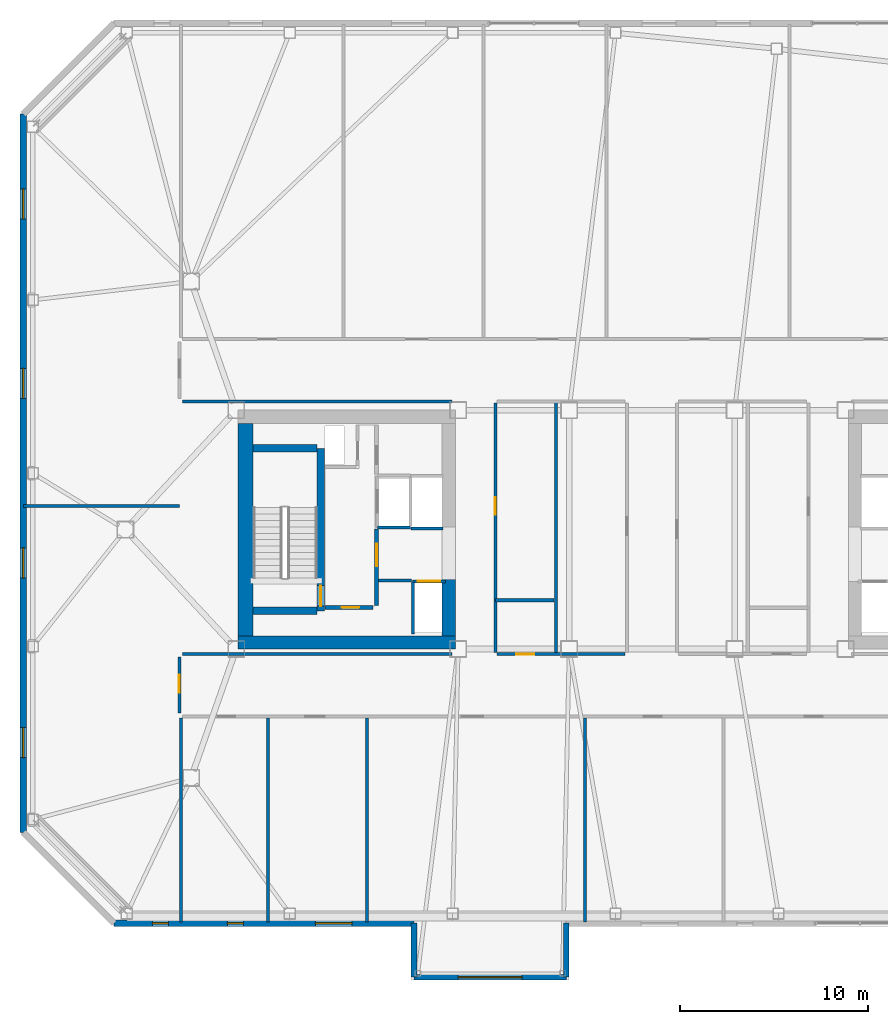
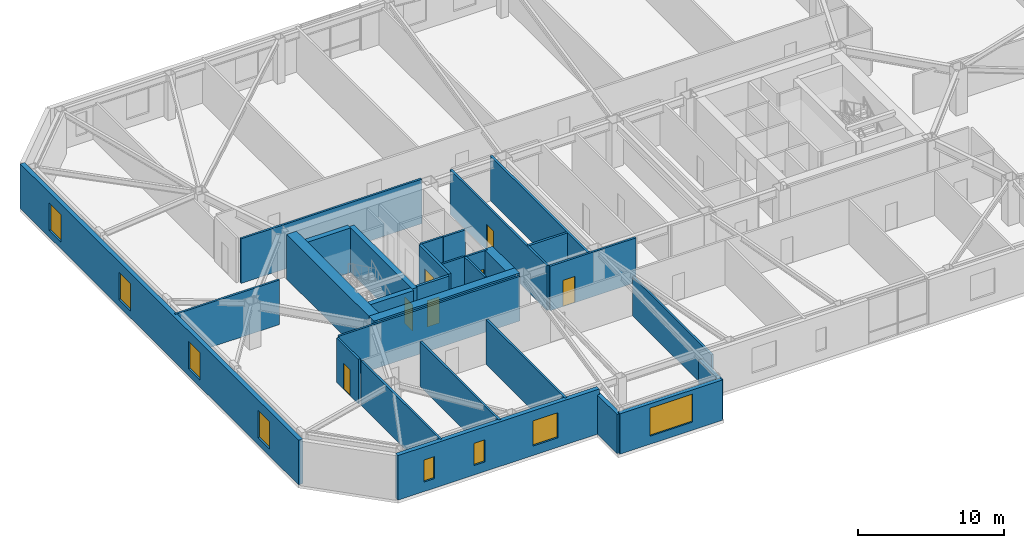
# One storey, part 9 of 16: 30 walls, 8 windows, 7 doors, 15 openings.
"""IFC4 building model written with IfcOpenShell, lengths in metres."""

from ifc_helpers import new_model, si_unit, direction, frame, frame_2d, origin, place, context, subcontext, project, spatial, rectangle, extrude, material, layer, layer_set, type_object, element, fill, save


model = new_model("IFC4")

# Units and contexts
model_context = context("Model", 3, precision=1e-05, world=origin(), true_north=direction((0.0, 1.0)))
body_context = subcontext(model_context, "Body", "Model", "MODEL_VIEW")
ifc_project = project(units=[si_unit("LENGTHUNIT", "METRE"), si_unit("AREAUNIT", "SQUARE_METRE"), si_unit("VOLUMEUNIT", "CUBIC_METRE"), si_unit("PLANEANGLEUNIT", "RADIAN"), si_unit("MASSUNIT", "GRAM", prefix="KILO")], contexts=[model_context])

# Site, building, storey
site_placement = place(None, origin())
site = spatial("IfcSite", under=ifc_project, at=site_placement, CompositionType="ELEMENT")
building_placement = place(site_placement, origin())
building = spatial("IfcBuilding", under=site, at=building_placement, Name="Tavrogorsk Clinical Tower", CompositionType="ELEMENT")
storey_placement = place(building_placement, frame((0.0, 0.0, 164.199951171875)))
storey = spatial("IfcBuildingStorey", under=building, at=storey_placement, Name="L37", CompositionType="ELEMENT", Elevation=164.199951171875)

# Wall, opening, door
ifc_material_1 = material(Name="Concrete B60", Category="concrete")
ifc_layer_1 = layer(ifc_material_1, 0.199951171875)
ifc_layer_set_1 = layer_set([ifc_layer_1], Name="Concrete B60")
wall_type_1 = type_object("IfcWallType", Name="CoreFireWall_200", PredefinedType="SOLIDWALL", material=ifc_layer_set_1)
wall_1_placement = place(storey_placement, frame((-17.3798828125, -4.139892578125, 0.0), z_axis=(0.0, 0.0, 1.0), x_axis=(1.0, 0.0, 0.0)))
wall_1 = element("IfcWall", 1, at=wall_1_placement, inside=storey, type_object=wall_type_1, Name="L37 Core West South Core Room Fire Wall", PredefinedType="SOLIDWALL", context=body_context, shape_type="SweptSolid", body=[
    extrude(rectangle(XDim=2.554931640625, YDim=0.199951171875, at=frame_2d((1.27734375, 0.0))), origin(), (0.0, 0.0, 1.0), 3.739990234375),
])
opening_1_placement = place(wall_1_placement, frame((0.8798828125, 0.0, 0.0)))
opening_1 = element("IfcOpeningElement", 2, at=opening_1_placement, cuts=wall_1, Name="Opening ID-02", PredefinedType="OPENING", context=body_context, shape_type="SweptSolid", body=[
    extrude(rectangle(XDim=0.949951171875, YDim=2.199951171875, at=frame_2d((0.47509765625, 1.10009765625))), frame((0.0, 0.10986328125, 0.0), z_axis=(0.0, -1.0, 0.0), x_axis=(1.0, 0.0, 0.0)), (0.0, 0.0, 1.0), 0.219970703125),
])
ifc_material_2 = material(Name="Laminated timber leaf on aluminium frame", Category="wood")
door_type_1 = type_object("IfcDoorType", Name="InteriorDoor_ID02_950", OperationType="NOTDEFINED", PredefinedType="DOOR", material=ifc_material_2)
door_1_placement = place(opening_1_placement, origin())
door_1 = element("IfcDoor", 3, at=door_1_placement, inside=storey, type_object=door_type_1, Name="L37 Core West South Core Room Door", OperationType="SINGLE_SWING_RIGHT", OverallHeight=2.199951171875, OverallWidth=0.949951171875, PredefinedType="DOOR", context=body_context, shape_type="SweptSolid", body=[
    extrude(rectangle(XDim=0.949951171875, YDim=2.199951171875, at=frame_2d((0.47509765625, 1.10009765625))), frame((0.0, 0.02490234375, 0.0), z_axis=(0.0, -1.0, 0.0), x_axis=(1.0, 0.0, 0.0)), (0.0, 0.0, 1.0), 0.050048828125),
])
fill(opening_1, door_1)

wall_2_placement = place(storey_placement, frame((-14.639892578125, -4.034912109375, 0.0), z_axis=(0.0, 0.0, 1.0), x_axis=(0.0, 1.0, 0.0)))
wall_2 = element("IfcWall", 4, at=wall_2_placement, inside=storey, type_object=wall_type_1, Name="L37 Core West Firefighting Lobby Fire Wall", PredefinedType="SOLIDWALL", context=body_context, shape_type="SweptSolid", body=[
    extrude(rectangle(XDim=4.074951171875, YDim=0.199951171875, at=frame_2d((2.03759765625, 0.0))), origin(), (0.0, 0.0, 1.0), 3.739990234375),
])
opening_2_placement = place(wall_2_placement, frame((2.090087890625, 0.0, 0.0)))
opening_2 = element("IfcOpeningElement", 5, at=opening_2_placement, cuts=wall_2, Name="Opening FD-01", PredefinedType="OPENING", context=body_context, shape_type="SweptSolid", body=[
    extrude(rectangle(XDim=1.199951171875, YDim=2.199951171875, at=frame_2d((0.60009765625, 1.10009765625))), frame((0.0, 0.10986328125, 0.0), z_axis=(0.0, -1.0, 0.0), x_axis=(1.0, 0.0, 0.0)), (0.0, 0.0, 1.0), 0.219970703125),
])
ifc_material_3 = material(Name="Galvanised steel fire-rated door assembly", Category="steel")
door_type_2 = type_object("IfcDoorType", Name="FireDoor_FD01_1200", OperationType="NOTDEFINED", PredefinedType="DOOR", material=ifc_material_3)
door_2_placement = place(opening_2_placement, origin())
door_2 = element("IfcDoor", 6, at=door_2_placement, inside=storey, type_object=door_type_2, Name="L37 Core West Firefighting Lobby Entry Door", OperationType="SINGLE_SWING_RIGHT", OverallHeight=2.199951171875, OverallWidth=1.199951171875, PredefinedType="DOOR", context=body_context, shape_type="SweptSolid", body=[
    extrude(rectangle(XDim=1.199951171875, YDim=2.199951171875, at=frame_2d((0.60009765625, 1.10009765625))), frame((0.0, 0.02490234375, 0.0), z_axis=(0.0, -1.0, 0.0), x_axis=(1.0, 0.0, 0.0)), (0.0, 0.0, 1.0), 0.050048828125),
])
fill(opening_2, door_2)

# Wall
ifc_material_4 = material(Name="Lightweight concrete blockwork B15", Category="masonry")
ifc_layer_2 = layer(ifc_material_4, 0.159912109375)
ifc_layer_set_2 = layer_set([ifc_layer_2], Name="Lightweight concrete blockwork B15")
wall_type_2 = type_object("IfcWallType", Name="PartitionWall_160", PredefinedType="PARTITIONING", material=ifc_layer_set_2)
wall_3_placement = place(storey_placement, frame((-14.534912109375, -2.699951171875, 0.0), z_axis=(0.0, 0.0, 1.0), x_axis=(1.0, 0.0, 0.0)))
element("IfcWall", 7, at=wall_3_placement, inside=storey, type_object=wall_type_2, Name="L37 Core West Freed Low-Bank North Partition", PredefinedType="PARTITIONING", context=body_context, shape_type="SweptSolid", body=[
    extrude(rectangle(XDim=1.760009765625, YDim=0.159912109375, at=frame_2d((0.8798828125, 0.0))), origin(), (0.0, 0.0, 1.0), 3.739990234375),
])

# Wall, opening, door
wall_4_placement = place(storey_placement, frame((-25.1298828125, -9.764892578125, 0.0), z_axis=(0.0, 0.0, 1.0), x_axis=(0.0, 1.0, 0.0)))
wall_4 = element("IfcWall", 8, at=wall_4_placement, inside=storey, type_object=wall_type_2, Name="L37 Corridor Partition 01", PredefinedType="PARTITIONING", context=body_context, shape_type="SweptSolid", body=[
    extrude(rectangle(XDim=2.97998046875, YDim=0.159912109375, at=frame_2d((1.489990234375, 0.0))), origin(), (0.0, 0.0, 1.0), 3.739990234375),
])
opening_3_placement = place(wall_4_placement, frame((1.10009765625, 0.0, 0.0)))
opening_3 = element("IfcOpeningElement", 9, at=opening_3_placement, cuts=wall_4, Name="Opening ID-02", PredefinedType="OPENING", context=body_context, shape_type="SweptSolid", body=[
    extrude(rectangle(XDim=0.949951171875, YDim=2.199951171875, at=frame_2d((0.47509765625, 1.10009765625))), frame((0.0, 0.08984375, 0.0), z_axis=(0.0, -1.0, 0.0), x_axis=(1.0, 0.0, 0.0)), (0.0, 0.0, 1.0), 0.179931640625),
])
door_3_placement = place(opening_3_placement, origin())
door_3 = element("IfcDoor", 10, at=door_3_placement, inside=storey, type_object=door_type_1, Name="L37 W Solarium Day Room & Lounge 1 Door", OperationType="SINGLE_SWING_RIGHT", OverallHeight=2.199951171875, OverallWidth=0.949951171875, PredefinedType="DOOR", context=body_context, shape_type="SweptSolid", body=[
    extrude(rectangle(XDim=0.949951171875, YDim=2.199951171875, at=frame_2d((0.47509765625, 1.10009765625))), frame((0.0, 0.02490234375, 0.0), z_axis=(0.0, -1.0, 0.0), x_axis=(1.0, 0.0, 0.0)), (0.0, 0.0, 1.0), 0.050048828125),
])
fill(opening_3, door_3)

# Walls
for number, where, z_axis, x_axis, name in (
    (11, (-24.965087890625, -6.6201171875, 0.0), (0.0, 0.0, 1.0), (1.0, 0.0, 0.0), "L37 Corridor Partition 02"),
    (12, (-10.6298828125, 6.820068359375, 0.0), (0.0, 0.0, 1.0), (-1.0, 0.0, 0.0), "L37 Corridor Partition 03"),
):
    element("IfcWall", number, at=place(storey_placement, frame(where, z_axis=z_axis, x_axis=x_axis)), inside=storey, type_object=wall_type_2, Name=name, PredefinedType="PARTITIONING", context=body_context, shape_type="SweptSolid", body=[
        extrude(rectangle(XDim=14.335205078125, YDim=0.159912109375, at=frame_2d((7.16748046875, 0.0))), origin(), (0.0, 0.0, 1.0), 3.739990234375),
    ])

# Wall, opening, door
wall_5_placement = place(storey_placement, frame((-8.320068359375, 6.735107421875, 0.0), z_axis=(0.0, 0.0, 1.0), x_axis=(0.0, -1.0, 0.0)))
wall_5 = element("IfcWall", 13, at=wall_5_placement, inside=storey, type_object=wall_type_2, Name="L37 Corridor Partition 17", PredefinedType="PARTITIONING", context=body_context, shape_type="SweptSolid", body=[
    extrude(rectangle(XDim=13.27001953125, YDim=0.159912109375, at=frame_2d((6.635009765625, 0.0))), origin(), (0.0, 0.0, 1.0), 3.739990234375),
])
opening_4_placement = place(wall_5_placement, frame((5.004150390625, 0.0, 0.0)))
opening_4 = element("IfcOpeningElement", 14, at=opening_4_placement, cuts=wall_5, Name="Opening ID-02", PredefinedType="OPENING", context=body_context, shape_type="SweptSolid", body=[
    extrude(rectangle(XDim=0.949951171875, YDim=2.199951171875, at=frame_2d((0.47509765625, 1.10009765625))), frame((0.0, 0.08984375, 0.0), z_axis=(0.0, -1.0, 0.0), x_axis=(1.0, 0.0, 0.0)), (0.0, 0.0, 1.0), 0.179931640625),
])
door_4_placement = place(opening_4_placement, origin())
door_4 = element("IfcDoor", 15, at=door_4_placement, inside=storey, type_object=door_type_1, Name="L37 Ward Nourishment Pantry Door", OperationType="SINGLE_SWING_LEFT", OverallHeight=2.199951171875, OverallWidth=0.949951171875, PredefinedType="DOOR", context=body_context, shape_type="SweptSolid", body=[
    extrude(rectangle(XDim=0.949951171875, YDim=2.199951171875, at=frame_2d((0.47509765625, 1.10009765625))), frame((0.0, 0.02490234375, 0.0), z_axis=(0.0, -1.0, 0.0), x_axis=(1.0, 0.0, 0.0)), (0.0, 0.0, 1.0), 0.050048828125),
])
fill(opening_4, door_4)

wall_6_placement = place(storey_placement, frame((-8.235107421875, -6.6201171875, 0.0), z_axis=(0.0, 0.0, 1.0), x_axis=(1.0, 0.0, 0.0)))
wall_6 = element("IfcWall", 16, at=wall_6_placement, inside=storey, type_object=wall_type_2, Name="L37 Corridor Partition 18", PredefinedType="PARTITIONING", context=body_context, shape_type="SweptSolid", body=[
    extrude(rectangle(XDim=6.820068359375, YDim=0.159912109375, at=frame_2d((3.41015625, 0.0))), origin(), (0.0, 0.0, 1.0), 3.739990234375),
])
opening_5_placement = place(wall_6_placement, frame((1.029052734375, 0.0, 0.0)))
opening_5 = element("IfcOpeningElement", 17, at=opening_5_placement, cuts=wall_6, Name="Opening ID-02", PredefinedType="OPENING", context=body_context, shape_type="SweptSolid", body=[
    extrude(rectangle(XDim=0.949951171875, YDim=2.199951171875, at=frame_2d((0.47509765625, 1.10009765625))), frame((0.0, 0.08984375, 0.0), z_axis=(0.0, -1.0, 0.0), x_axis=(1.0, 0.0, 0.0)), (0.0, 0.0, 1.0), 0.179931640625),
])
door_5_placement = place(opening_5_placement, origin())
door_5 = element("IfcDoor", 18, at=door_5_placement, inside=storey, type_object=door_type_1, Name="L37 Accessible Patient Lavatory Door", OperationType="SINGLE_SWING_RIGHT", OverallHeight=2.199951171875, OverallWidth=0.949951171875, PredefinedType="DOOR", context=body_context, shape_type="SweptSolid", body=[
    extrude(rectangle(XDim=0.949951171875, YDim=2.199951171875, at=frame_2d((0.47509765625, 1.10009765625))), frame((0.0, 0.02490234375, 0.0), z_axis=(0.0, -1.0, 0.0), x_axis=(1.0, 0.0, 0.0)), (0.0, 0.0, 1.0), 0.050048828125),
])
fill(opening_5, door_5)

# Walls
for number, where, z_axis, x_axis, name in (
    (19, (-25.050048828125, -20.860107421875, 0.0), (0.0, 0.0, 1.0), (0.0, 1.0, 0.0), "L37 SW Wing Closure Partition"),
    (20, (-20.39990234375, -20.860107421875, 0.0), (0.0, 0.0, 1.0), (0.0, 1.0, 0.0), "L37 South Room Partition 1"),
    (21, (-15.159912109375, -20.860107421875, 0.0), (0.0, 0.0, 1.0), (0.0, 1.0, 0.0), "L37 South Room Partition 2"),
):
    element("IfcWall", number, at=place(storey_placement, frame(where, z_axis=z_axis, x_axis=x_axis)), inside=storey, type_object=wall_type_2, Name=name, PredefinedType="PARTITIONING", context=body_context, shape_type="SweptSolid", body=[
        extrude(rectangle(XDim=10.84521484375, YDim=0.159912109375, at=frame_2d((5.422607421875, 0.0))), origin(), (0.0, 0.0, 1.0), 3.739990234375),
    ])
wall_7_placement = place(storey_placement, frame((-3.550048828125, -20.860107421875, 0.0), z_axis=(0.0, 0.0, 1.0), x_axis=(0.0, 1.0, 0.0)))
element("IfcWall", 22, at=wall_7_placement, inside=storey, type_object=wall_type_2, Name="L37 South Room Partition 3", PredefinedType="PARTITIONING", context=body_context, shape_type="SweptSolid", body=[
    extrude(rectangle(XDim=10.84521484375, YDim=0.159912109375, at=frame_2d((5.422607421875, 0.0))), origin(), (0.0, 0.0, 1.0), 3.28515625),
])
wall_8_placement = place(storey_placement, frame((-33.409912109375, 1.25, 0.0), z_axis=(0.0, 0.0, 1.0), x_axis=(1.0, 0.0, 0.0)))
element("IfcWall", 23, at=wall_8_placement, inside=storey, type_object=wall_type_2, Name="L37 W Wing Divider 1", PredefinedType="PARTITIONING", context=body_context, shape_type="SweptSolid", body=[
    extrude(rectangle(XDim=8.280029296875, YDim=0.159912109375, at=frame_2d((4.14013671875, 0.0))), origin(), (0.0, 0.0, 1.0), 3.739990234375),
])
ifc_material_5 = material(Name="Lightweight concrete blockwork B20", Category="masonry")
ifc_layer_3 = layer(ifc_material_5, 0.179931640625)
ifc_layer_set_3 = layer_set([ifc_layer_3], Name="Lightweight concrete blockwork B20")
wall_type_3 = type_object("IfcWallType", Name="PartitionWall_180", PredefinedType="PARTITIONING", material=ifc_layer_set_3)
wall_9_placement = place(storey_placement, frame((-5.10009765625, -6.614990234375, 0.0), z_axis=(0.0, 0.0, 1.0), x_axis=(0.0, 1.0, 0.0)))
element("IfcWall", 24, at=wall_9_placement, inside=storey, type_object=wall_type_3, Name="L37 Central Spine Partition 1", PredefinedType="PARTITIONING", context=body_context, shape_type="SweptSolid", body=[
    extrude(rectangle(XDim=13.429931640625, YDim=0.179931640625, at=frame_2d((6.71484375, 0.0))), origin(), (0.0, 0.0, 1.0), 3.739990234375),
])
wall_10_placement = place(storey_placement, frame((-8.31494140625, -3.75, 0.0), z_axis=(0.0, 0.0, 1.0), x_axis=(1.0, 0.0, 0.0)))
element("IfcWall", 25, at=wall_10_placement, inside=storey, type_object=wall_type_3, Name="L37 Central Spine Partition 3", PredefinedType="PARTITIONING", context=body_context, shape_type="SweptSolid", body=[
    extrude(rectangle(XDim=3.119873046875, YDim=0.179931640625, at=frame_2d((1.56005859375, 0.0))), origin(), (0.0, 0.0, 1.0), 3.739990234375),
])

# Wall, openings, windows
ifc_material_6 = material(Name="Precast concrete B45 with limestone cladding", Category="masonry")
ifc_layer_4 = layer(ifc_material_6, 0.340087890625)
ifc_layer_set_4 = layer_set([ifc_layer_4], Name="Precast concrete B45 with limestone cladding")
wall_type_4 = type_object("IfcWallType", Name="PrecastLimestoneWall_340", PredefinedType="STANDARD", material=ifc_layer_set_4)
wall_11_placement = place(storey_placement, frame((-28.60009765625, -20.929931640625, 0.0), z_axis=(0.0, 0.0, 1.0), x_axis=(1.0, 0.0, 0.0)))
wall_11 = element("IfcWall", 26, at=wall_11_placement, inside=storey, type_object=wall_type_4, Name="L37 S Limestone Facade Wall 1", PredefinedType="STANDARD", context=body_context, shape_type="SweptSolid", body=[
    extrude(rectangle(XDim=15.9501953125, YDim=0.340087890625, at=frame_2d((7.97509765625, 0.0))), origin(), (0.0, 0.0, 1.0), 3.739990234375),
])
opening_6_placement = place(wall_11_placement, frame((2.0439453125, 0.0, 0.800048828125)))
opening_6 = element("IfcOpeningElement", 27, at=opening_6_placement, cuts=wall_11, Name="Opening WN-06", PredefinedType="OPENING", context=body_context, shape_type="SweptSolid", body=[
    extrude(rectangle(XDim=0.85009765625, YDim=1.85009765625, at=frame_2d((0.425048828125, 0.925048828125))), frame((0.0, 0.179931640625, 0.0), z_axis=(0.0, -1.0, 0.0), x_axis=(1.0, 0.0, 0.0)), (0.0, 0.0, 1.0), 0.360107421875),
])
opening_7_placement = place(wall_11_placement, frame((6.02880859375, 0.0, 0.800048828125)))
opening_7 = element("IfcOpeningElement", 28, at=opening_7_placement, cuts=wall_11, Name="Opening WN-06", PredefinedType="OPENING", context=body_context, shape_type="SweptSolid", body=[
    extrude(rectangle(XDim=0.85009765625, YDim=1.85009765625, at=frame_2d((0.425048828125, 0.925048828125))), frame((0.0, 0.179931640625, 0.0), z_axis=(0.0, -1.0, 0.0), x_axis=(1.0, 0.0, 0.0)), (0.0, 0.0, 1.0), 0.360107421875),
])
opening_8_placement = place(wall_11_placement, frame((10.706787109375, 0.0, 0.800048828125)))
opening_8 = element("IfcOpeningElement", 29, at=opening_8_placement, cuts=wall_11, Name="Opening WN-13", PredefinedType="OPENING", context=body_context, shape_type="SweptSolid", body=[
    extrude(rectangle(XDim=1.949951171875, YDim=2.10009765625, at=frame_2d((0.97509765625, 1.050048828125))), frame((0.0, 0.179931640625, 0.0), z_axis=(0.0, -1.0, 0.0), x_axis=(1.0, 0.0, 0.0)), (0.0, 0.0, 1.0), 0.360107421875),
])
ifc_material_7 = material(Name="Thermally broken aluminium frame and triple IGU", Category="aluminium")
window_type_1 = type_object("IfcWindowType", Name="ExamRoomWin_1950x2100", PartitioningType="DOUBLE_PANEL_VERTICAL", PredefinedType="WINDOW", material=ifc_material_7)
window_1_placement = place(opening_8_placement, origin())
window_1 = element("IfcWindow", 30, at=window_1_placement, inside=storey, type_object=window_type_1, Name="L37 S Chicago Window 03", OverallHeight=2.10009765625, OverallWidth=1.949951171875, PartitioningType="SINGLE_PANEL", PredefinedType="WINDOW", context=body_context, shape_type="SweptSolid", body=[
    extrude(rectangle(XDim=1.949951171875, YDim=2.10009765625, at=frame_2d((0.97509765625, 1.050048828125))), frame((0.0, 0.030029296875, 0.0), z_axis=(0.0, -1.0, 0.0), x_axis=(1.0, 0.0, 0.0)), (0.0, 0.0, 1.0), 0.06005859375),
])
fill(opening_8, window_1)
ifc_material_8 = material(Name="Thermally broken aluminium frame and triple IGU", Category="aluminium")
window_type_2 = type_object("IfcWindowType", Name="MullionSubWin_850x1850", PartitioningType="SINGLE_PANEL", PredefinedType="WINDOW", material=ifc_material_8)
window_2_placement = place(opening_6_placement, origin())
window_2 = element("IfcWindow", 31, at=window_2_placement, inside=storey, type_object=window_type_2, Name="L37 S Mullion Split Window 01A", OverallHeight=1.85009765625, OverallWidth=0.85009765625, PartitioningType="SINGLE_PANEL", PredefinedType="WINDOW", context=body_context, shape_type="SweptSolid", body=[
    extrude(rectangle(XDim=0.85009765625, YDim=1.85009765625, at=frame_2d((0.425048828125, 0.925048828125))), frame((0.0, 0.030029296875, 0.0), z_axis=(0.0, -1.0, 0.0), x_axis=(1.0, 0.0, 0.0)), (0.0, 0.0, 1.0), 0.06005859375),
])
fill(opening_6, window_2)
window_3_placement = place(opening_7_placement, origin())
window_3 = element("IfcWindow", 32, at=window_3_placement, inside=storey, type_object=window_type_2, Name="L37 S Mullion Split Window 02A", OverallHeight=1.85009765625, OverallWidth=0.85009765625, PartitioningType="SINGLE_PANEL", PredefinedType="WINDOW", context=body_context, shape_type="SweptSolid", body=[
    extrude(rectangle(XDim=0.85009765625, YDim=1.85009765625, at=frame_2d((0.425048828125, 0.925048828125))), frame((0.0, 0.030029296875, 0.0), z_axis=(0.0, -1.0, 0.0), x_axis=(1.0, 0.0, 0.0)), (0.0, 0.0, 1.0), 0.06005859375),
])
fill(opening_7, window_3)

wall_12_placement = place(storey_placement, frame((-33.429931640625, 22.10009765625, 0.0), z_axis=(0.0, 0.0, 1.0), x_axis=(0.0, -1.0, 0.0)))
wall_12 = element("IfcWall", 33, at=wall_12_placement, inside=storey, type_object=wall_type_4, Name="L37 W Pleated Limestone Wing Wall", PredefinedType="STANDARD", context=body_context, shape_type="SweptSolid", body=[
    extrude(rectangle(XDim=38.2001953125, YDim=0.340087890625, at=frame_2d((19.10009765625, 0.0))), origin(), (0.0, 0.0, 1.0), 3.739990234375),
])
opening_9_placement = place(wall_12_placement, frame((3.97509765625, 0.0, 0.580078125)))
opening_9 = element("IfcOpeningElement", 34, at=opening_9_placement, cuts=wall_12, Name="Opening WN-07", PredefinedType="OPENING", context=body_context, shape_type="SweptSolid", body=[
    extrude(rectangle(XDim=1.60009765625, YDim=2.300048828125, at=frame_2d((0.800048828125, 1.14990234375))), frame((0.0, 0.179931640625, 0.0), z_axis=(0.0, -1.0, 0.0), x_axis=(1.0, 0.0, 0.0)), (0.0, 0.0, 1.0), 0.360107421875),
])
opening_10_placement = place(wall_12_placement, frame((13.52490234375, 0.0, 0.580078125)))
opening_10 = element("IfcOpeningElement", 35, at=opening_10_placement, cuts=wall_12, Name="Opening WN-07", PredefinedType="OPENING", context=body_context, shape_type="SweptSolid", body=[
    extrude(rectangle(XDim=1.60009765625, YDim=2.300048828125, at=frame_2d((0.800048828125, 1.14990234375))), frame((0.0, 0.179931640625, 0.0), z_axis=(0.0, -1.0, 0.0), x_axis=(1.0, 0.0, 0.0)), (0.0, 0.0, 1.0), 0.360107421875),
])
opening_11_placement = place(wall_12_placement, frame((23.074951171875, 0.0, 0.580078125)))
opening_11 = element("IfcOpeningElement", 36, at=opening_11_placement, cuts=wall_12, Name="Opening WN-07", PredefinedType="OPENING", context=body_context, shape_type="SweptSolid", body=[
    extrude(rectangle(XDim=1.60009765625, YDim=2.300048828125, at=frame_2d((0.800048828125, 1.14990234375))), frame((0.0, 0.179931640625, 0.0), z_axis=(0.0, -1.0, 0.0), x_axis=(1.0, 0.0, 0.0)), (0.0, 0.0, 1.0), 0.360107421875),
])
opening_12_placement = place(wall_12_placement, frame((32.625, 0.0, 0.580078125)))
opening_12 = element("IfcOpeningElement", 37, at=opening_12_placement, cuts=wall_12, Name="Opening WN-07", PredefinedType="OPENING", context=body_context, shape_type="SweptSolid", body=[
    extrude(rectangle(XDim=1.60009765625, YDim=2.300048828125, at=frame_2d((0.800048828125, 1.14990234375))), frame((0.0, 0.179931640625, 0.0), z_axis=(0.0, -1.0, 0.0), x_axis=(1.0, 0.0, 0.0)), (0.0, 0.0, 1.0), 0.360107421875),
])
ifc_material_9 = material(Name="Thermally broken aluminium frame and triple IGU", Category="aluminium")
window_type_3 = type_object("IfcWindowType", Name="PleatSlotWin_1600x2300", PartitioningType="SINGLE_PANEL", PredefinedType="WINDOW", material=ifc_material_9)
window_4_placement = place(opening_9_placement, origin())
window_4 = element("IfcWindow", 38, at=window_4_placement, inside=storey, type_object=window_type_3, Name="L37 W Pleat Slot Window 1", OverallHeight=2.300048828125, OverallWidth=1.60009765625, PartitioningType="SINGLE_PANEL", PredefinedType="WINDOW", context=body_context, shape_type="SweptSolid", body=[
    extrude(rectangle(XDim=1.60009765625, YDim=2.300048828125, at=frame_2d((0.800048828125, 1.14990234375))), frame((0.0, 0.030029296875, 0.0), z_axis=(0.0, -1.0, 0.0), x_axis=(1.0, 0.0, 0.0)), (0.0, 0.0, 1.0), 0.06005859375),
])
fill(opening_9, window_4)
window_5_placement = place(opening_10_placement, origin())
window_5 = element("IfcWindow", 39, at=window_5_placement, inside=storey, type_object=window_type_3, Name="L37 W Pleat Slot Window 2", OverallHeight=2.300048828125, OverallWidth=1.60009765625, PartitioningType="SINGLE_PANEL", PredefinedType="WINDOW", context=body_context, shape_type="SweptSolid", body=[
    extrude(rectangle(XDim=1.60009765625, YDim=2.300048828125, at=frame_2d((0.800048828125, 1.14990234375))), frame((0.0, 0.030029296875, 0.0), z_axis=(0.0, -1.0, 0.0), x_axis=(1.0, 0.0, 0.0)), (0.0, 0.0, 1.0), 0.06005859375),
])
fill(opening_10, window_5)
window_6_placement = place(opening_11_placement, origin())
window_6 = element("IfcWindow", 40, at=window_6_placement, inside=storey, type_object=window_type_3, Name="L37 W Pleat Slot Window 3", OverallHeight=2.300048828125, OverallWidth=1.60009765625, PartitioningType="SINGLE_PANEL", PredefinedType="WINDOW", context=body_context, shape_type="SweptSolid", body=[
    extrude(rectangle(XDim=1.60009765625, YDim=2.300048828125, at=frame_2d((0.800048828125, 1.14990234375))), frame((0.0, 0.030029296875, 0.0), z_axis=(0.0, -1.0, 0.0), x_axis=(1.0, 0.0, 0.0)), (0.0, 0.0, 1.0), 0.06005859375),
])
fill(opening_11, window_6)
window_7_placement = place(opening_12_placement, origin())
window_7 = element("IfcWindow", 41, at=window_7_placement, inside=storey, type_object=window_type_3, Name="L37 W Pleat Slot Window 4", OverallHeight=2.300048828125, OverallWidth=1.60009765625, PartitioningType="SINGLE_PANEL", PredefinedType="WINDOW", context=body_context, shape_type="SweptSolid", body=[
    extrude(rectangle(XDim=1.60009765625, YDim=2.300048828125, at=frame_2d((0.800048828125, 1.14990234375))), frame((0.0, 0.030029296875, 0.0), z_axis=(0.0, -1.0, 0.0), x_axis=(1.0, 0.0, 0.0)), (0.0, 0.0, 1.0), 0.06005859375),
])
fill(opening_12, window_7)

# Wall, opening, window
wall_13_placement = place(storey_placement, frame((-12.64990234375, -23.800048828125, 0.0), z_axis=(0.0, 0.0, 1.0), x_axis=(1.0, 0.0, 0.0)))
wall_13 = element("IfcWall", 42, at=wall_13_placement, inside=storey, type_object=wall_type_4, Name="L37 Day-Room Limestone Front DRB-05", PredefinedType="STANDARD", context=body_context, shape_type="SweptSolid", body=[
    extrude(rectangle(XDim=8.099853515625, YDim=0.300048828125, at=frame_2d((4.0498046875, 0.0))), origin(), (0.0, 0.0, 1.0), 3.385009765625),
])
opening_13_placement = place(wall_13_placement, frame((2.35009765625, 0.0, 0.679931640625)))
opening_13 = element("IfcOpeningElement", 43, at=opening_13_placement, cuts=wall_13, Name="Opening WN-16", PredefinedType="OPENING", context=body_context, shape_type="SweptSolid", body=[
    extrude(rectangle(XDim=3.39990234375, YDim=2.35009765625, at=frame_2d((1.699951171875, 1.175048828125))), frame((0.0, 0.159912109375, 0.0), z_axis=(0.0, -1.0, 0.0), x_axis=(1.0, 0.0, 0.0)), (0.0, 0.0, 1.0), 0.320068359375),
])
ifc_material_10 = material(Name="Thermally broken aluminium frame and triple IGU", Category="aluminium")
window_type_4 = type_object("IfcWindowType", Name="QuietLoungeWin_3400x2350", PartitioningType="TRIPLE_PANEL_HORIZONTAL", PredefinedType="WINDOW", material=ifc_material_10)
window_8_placement = place(opening_13_placement, origin())
window_8 = element("IfcWindow", 44, at=window_8_placement, inside=storey, type_object=window_type_4, Name="L37 Day-Room Front Bay Window DRB-05", OverallHeight=2.35009765625, OverallWidth=3.39990234375, PartitioningType="SINGLE_PANEL", PredefinedType="WINDOW", context=body_context, shape_type="SweptSolid", body=[
    extrude(rectangle(XDim=3.39990234375, YDim=2.35009765625, at=frame_2d((1.699951171875, 1.175048828125))), frame((0.0, 0.030029296875, 0.0), z_axis=(0.0, -1.0, 0.0), x_axis=(1.0, 0.0, 0.0)), (0.0, 0.0, 1.0), 0.06005859375),
])
fill(opening_13, window_8)

# Wall
ifc_material_11 = material(Name="Lightweight concrete blockwork B25", Category="masonry")
ifc_layer_5 = layer(ifc_material_11, 0.159912109375)
ifc_layer_set_5 = layer_set([ifc_layer_5], Name="Lightweight concrete blockwork B25")
wall_type_5 = type_object("IfcWallType", Name="ShaftWall_160", PredefinedType="PARTITIONING", material=ifc_layer_set_5)
wall_14_placement = place(storey_placement, frame((-14.60009765625, 0.10009765625, 0.0), z_axis=(0.0, 0.0, 1.0), x_axis=(1.0, 0.0, 0.0)))
element("IfcWall", 45, at=wall_14_placement, inside=storey, type_object=wall_type_5, Name="L37 FFL-W Shaft South Wall", PredefinedType="PARTITIONING", context=body_context, shape_type="SweptSolid", body=[
    extrude(rectangle(XDim=1.760009765625, YDim=0.159912109375, at=frame_2d((0.8798828125, 0.0))), origin(), (0.0, 0.0, 1.0), 3.739990234375),
])

# Wall, opening, door
wall_15_placement = place(storey_placement, frame((-12.72998046875, -2.75, 0.0), z_axis=(0.0, 0.0, 1.0), x_axis=(1.0, 0.0, 0.0)))
wall_15 = element("IfcWall", 46, at=wall_15_placement, inside=storey, type_object=wall_type_5, Name="L37 LP-M1 Lift Shaft Portal Wall", PredefinedType="PARTITIONING", context=body_context, shape_type="SweptSolid", body=[
    extrude(rectangle(XDim=1.760009765625, YDim=0.159912109375, at=frame_2d((0.8798828125, 0.0))), origin(), (0.0, 0.0, 1.0), 3.739990234375),
])
opening_14_placement = place(wall_15_placement, frame((0.280029296875, 0.0, 0.0)))
opening_14 = element("IfcOpeningElement", 47, at=opening_14_placement, cuts=wall_15, Name="Opening LD", PredefinedType="OPENING", context=body_context, shape_type="SweptSolid", body=[
    extrude(rectangle(XDim=1.199951171875, YDim=2.199951171875, at=frame_2d((0.60009765625, 1.10009765625))), frame((0.0, 0.08984375, 0.0), z_axis=(0.0, -1.0, 0.0), x_axis=(1.0, 0.0, 0.0)), (0.0, 0.0, 1.0), 0.179931640625),
])
ifc_material_12 = material(Name="Brushed stainless steel AISI 304 sliding doors", Category="steel")
door_type_3 = type_object("IfcDoorType", Name="LiftLandingDoor_LD_1200", OperationType="SLIDING_TO_LEFT", PredefinedType="DOOR", material=ifc_material_12)
door_6_placement = place(opening_14_placement, origin())
door_6 = element("IfcDoor", 48, at=door_6_placement, inside=storey, type_object=door_type_3, Name="L37 LP-M1 Sliding Lift Landing Door", OperationType="SLIDING_TO_LEFT", OverallHeight=2.199951171875, OverallWidth=1.199951171875, PredefinedType="DOOR", context=body_context, shape_type="SweptSolid", body=[
    extrude(rectangle(XDim=1.199951171875, YDim=2.199951171875, at=frame_2d((0.60009765625, 1.10009765625))), frame((0.0, 0.02490234375, 0.0), z_axis=(0.0, -1.0, 0.0), x_axis=(1.0, 0.0, 0.0)), (0.0, 0.0, 1.0), 0.050048828125),
])
fill(opening_14, door_6)

# Walls
wall_16_placement = place(storey_placement, frame((-12.820068359375, 0.06005859375, 0.0), z_axis=(0.0, 0.0, 1.0), x_axis=(1.0, 0.0, 0.0)))
element("IfcWall", 49, at=wall_16_placement, inside=storey, type_object=wall_type_5, Name="L37 LP-H1 High-Zone Lift Portal Wall", PredefinedType="PARTITIONING", context=body_context, shape_type="SweptSolid", body=[
    extrude(rectangle(XDim=1.719970703125, YDim=0.159912109375, at=frame_2d((0.85986328125, 0.0))), origin(), (0.0, 0.0, 1.0), 3.739990234375),
])
wall_17_placement = place(storey_placement, frame((-12.68994140625, -5.56005859375, 0.0), z_axis=(0.0, 0.0, 1.0), x_axis=(0.0, 1.0, 0.0)))
element("IfcWall", 50, at=wall_17_placement, inside=storey, type_object=wall_type_5, Name="L37 Core West Freed Low-Bank Shaft Divider", PredefinedType="PARTITIONING", context=body_context, shape_type="SweptSolid", body=[
    extrude(rectangle(XDim=2.775146484375, YDim=0.159912109375, at=frame_2d((1.3876953125, 0.0))), origin(), (0.0, 0.0, 1.0), 3.739990234375),
])

# Wall, opening, door
ifc_material_13 = material(Name="Concrete B80", Category="concrete")
ifc_layer_6 = layer(ifc_material_13, 0.39990234375)
ifc_layer_set_6 = layer_set([ifc_layer_6], Name="Concrete B80")
wall_type_6 = type_object("IfcWallType", Name="ShearWall_400", PredefinedType="SHEAR", material=ifc_layer_set_6)
wall_18_placement = place(storey_placement, frame((-17.60009765625, -4.324951171875, 0.0), z_axis=(0.0, 0.0, 1.0), x_axis=(0.0, 1.0, 0.0)))
wall_18 = element("IfcWall", 51, at=wall_18_placement, inside=storey, type_object=wall_type_6, Name="L37 Core West Stair Shaft Inner Shear Wall", PredefinedType="SHEAR", context=body_context, shape_type="SweptSolid", body=[
    extrude(rectangle(XDim=8.64990234375, YDim=0.39990234375, at=frame_2d((4.324951171875, 0.0))), origin(), (0.0, 0.0, 1.0), 3.739990234375),
])
opening_15_placement = place(wall_18_placement, frame((0.25, 0.0, 0.0)))
opening_15 = element("IfcOpeningElement", 52, at=opening_15_placement, cuts=wall_18, Name="Opening SD-01", PredefinedType="OPENING", context=body_context, shape_type="SweptSolid", body=[
    extrude(rectangle(XDim=1.10009765625, YDim=2.199951171875, at=frame_2d((0.550048828125, 1.10009765625))), frame((0.0, 0.2099609375, 0.0), z_axis=(0.0, -1.0, 0.0), x_axis=(1.0, 0.0, 0.0)), (0.0, 0.0, 1.0), 0.419921875),
])
ifc_material_14 = material(Name="Galvanised steel smoke-tight fire door assembly", Category="steel")
door_type_4 = type_object("IfcDoorType", Name="StairFireDoor_SD01_1100", OperationType="NOTDEFINED", PredefinedType="DOOR", material=ifc_material_14)
door_7_placement = place(opening_15_placement, origin())
door_7 = element("IfcDoor", 53, at=door_7_placement, inside=storey, type_object=door_type_4, Name="L37 ST-W Exit Stair Door", OperationType="SINGLE_SWING_RIGHT", OverallHeight=2.199951171875, OverallWidth=1.10009765625, PredefinedType="DOOR", context=body_context, shape_type="SweptSolid", body=[
    extrude(rectangle(XDim=1.10009765625, YDim=2.199951171875, at=frame_2d((0.550048828125, 1.10009765625))), frame((0.0, 0.02490234375, 0.0), z_axis=(0.0, -1.0, 0.0), x_axis=(1.0, 0.0, 0.0)), (0.0, 0.0, 1.0), 0.050048828125),
])
fill(opening_15, door_7)

# Walls
for number, where, z_axis, x_axis, name in (
    (54, (-21.199951171875, -4.324951171875, 0.0), (0.0, 0.0, 1.0), (1.0, 0.0, 0.0), "L37 Core West Stair Shaft South Shear Wall"),
    (55, (-21.199951171875, 4.324951171875, 0.0), (0.0, 0.0, 1.0), (1.0, 0.0, 0.0), "L37 Core West Stair Shaft North Shear Wall"),
):
    element("IfcWall", number, at=place(storey_placement, frame(where, z_axis=z_axis, x_axis=x_axis)), inside=storey, type_object=wall_type_6, Name=name, PredefinedType="SHEAR", context=body_context, shape_type="SweptSolid", body=[
        extrude(rectangle(XDim=3.39990234375, YDim=0.39990234375, at=frame_2d((1.699951171875, 0.0))), origin(), (0.0, 0.0, 1.0), 3.739990234375),
    ])
ifc_material_15 = material(Name="Concrete B80", Category="concrete")
ifc_layer_7 = layer(ifc_material_15, 0.699951171875)
ifc_layer_set_7 = layer_set([ifc_layer_7], Name="Concrete B80")
wall_type_7 = type_object("IfcWallType", Name="ShearWall_700", PredefinedType="SHEAR", material=ifc_layer_set_7)
wall_19_placement = place(storey_placement, frame((-22.0, -6.0, 0.0), z_axis=(0.0, 0.0, 1.0), x_axis=(1.0, 0.0, 0.0)))
element("IfcWall", 56, at=wall_19_placement, inside=storey, type_object=wall_type_7, Name="L37 Core West South Shear Wall", PredefinedType="SHEAR", context=body_context, shape_type="SweptSolid", body=[
    extrude(rectangle(XDim=11.550048828125, YDim=0.699951171875, at=frame_2d((5.77490234375, 0.0))), origin(), (0.0, 0.0, 1.0), 3.739990234375),
])
wall_20_placement = place(storey_placement, frame((-10.800048828125, -5.64990234375, 0.0), z_axis=(0.0, 0.0, 1.0), x_axis=(0.0, 1.0, 0.0)))
element("IfcWall", 57, at=wall_20_placement, inside=storey, type_object=wall_type_7, Name="L37 Core West Inner South Pier", PredefinedType="SHEAR", context=body_context, shape_type="SweptSolid", body=[
    extrude(rectangle(XDim=3.0, YDim=0.699951171875, at=frame_2d((1.5, 0.0))), origin(), (0.0, 0.0, 1.0), 3.739990234375),
])
ifc_material_16 = material(Name="Concrete B80", Category="concrete")
ifc_layer_8 = layer(ifc_material_16, 0.800048828125)
ifc_layer_set_8 = layer_set([ifc_layer_8], Name="Concrete B80")
wall_type_8 = type_object("IfcWallType", Name="ShearWall_800", PredefinedType="SHEAR", material=ifc_layer_set_8)
wall_21_placement = place(storey_placement, frame((-21.60009765625, -5.64990234375, 0.0), z_axis=(0.0, 0.0, 1.0), x_axis=(0.0, 1.0, 0.0)))
element("IfcWall", 58, at=wall_21_placement, inside=storey, type_object=wall_type_8, Name="L37 Core West End Shear Wall", PredefinedType="SHEAR", context=body_context, shape_type="SweptSolid", body=[
    extrude(rectangle(XDim=11.2998046875, YDim=0.800048828125, at=frame_2d((5.64990234375, 0.0))), origin(), (0.0, 0.0, 1.0), 3.739990234375),
])
ifc_material_17 = material(Name="Precast concrete B45 with mineral wool", Category="concrete")
ifc_layer_9 = layer(ifc_material_17, 0.300048828125)
ifc_layer_set_9 = layer_set([ifc_layer_9], Name="Precast concrete B45 with mineral wool")
wall_type_9 = type_object("IfcWallType", Name="SpandrelBackWall_300", PredefinedType="STANDARD", material=ifc_layer_set_9)
for number, where, z_axis, x_axis, name in (
    (59, (-12.64990234375, -20.929931640625, 0.0), (0.0, 0.0, 1.0), (0.0, -1.0, 0.0), "L37 Day-Room Cheek Wall DRB-05-L"),
    (60, (-4.550048828125, -20.929931640625, 0.0), (0.0, 0.0, 1.0), (0.0, -1.0, 0.0), "L37 Day-Room Cheek Wall DRB-05-R"),
):
    element("IfcWall", number, at=place(storey_placement, frame(where, z_axis=z_axis, x_axis=x_axis)), inside=storey, type_object=wall_type_9, Name=name, PredefinedType="STANDARD", context=body_context, shape_type="SweptSolid", body=[
        extrude(rectangle(XDim=2.8701171875, YDim=0.300048828125, at=frame_2d((1.43505859375, 0.0))), origin(), (0.0, 0.0, 1.0), 3.28515625),
    ])

save(model, "model.ifc")
